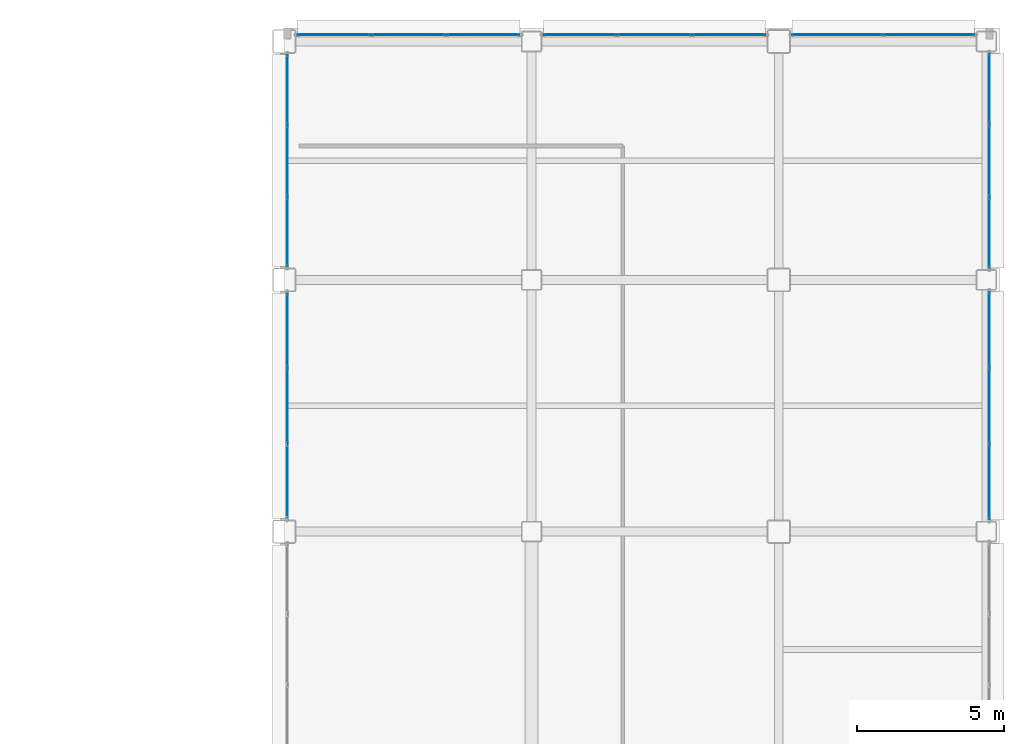
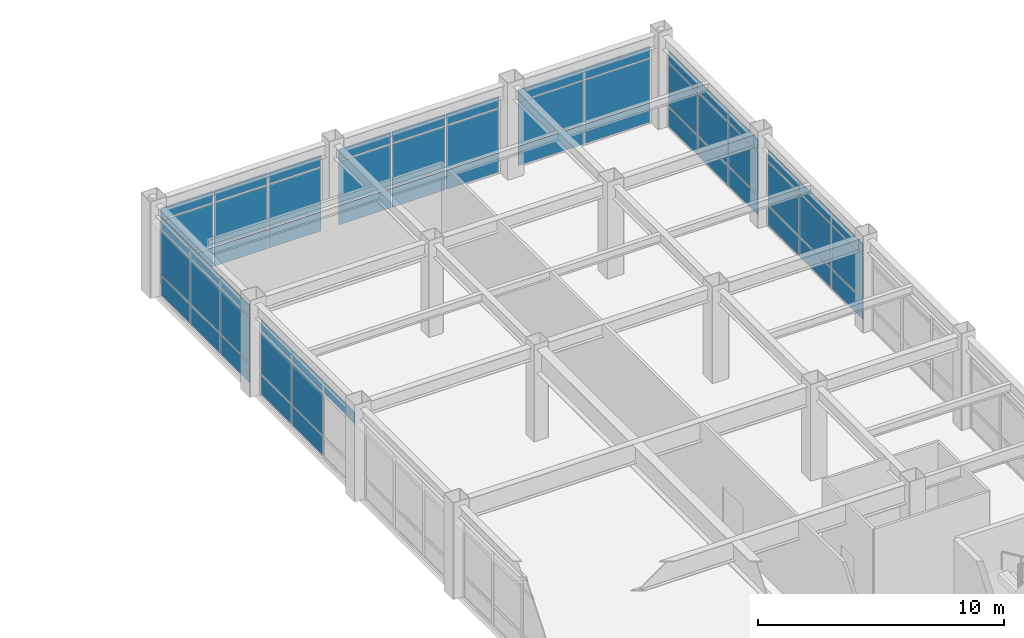
# One storey, part 128 of 154: 58 plates, 7 elements without a shape of their own.
"""IFC4 building model written with IfcOpenShell, lengths in metres."""

import ifcopenshell
import ifcopenshell.guid

model = None  # the IFC model being written
_history = None  # IfcOwnerHistory: only IFC2X3 demands one
_inside = {}  # id of a spatial element -> (the spatial element, [elements in it])
_under = {}  # id of a project, library or spatial element -> (it, [spatial elements below it])
_declared = {}  # id of a project -> (the project, [libraries it declares])
_typed = {}  # id of a type object -> (the type object, [elements of that type])
_made_of = {}  # id of a material, layer set ... -> (it, [elements and type objects made of it])


def new_model(schema):
    """Start an empty IFC model of exactly this schema.

    Asked for "IFC4X3", IfcOpenShell would pick the latest addendum, in which some entities
    have other attributes; the version numbers below select the first issue.
    IFC2X3 requires an IfcOwnerHistory on every rooted entity: one is made here for all.
    """
    global model, _history
    if schema == "IFC4X3":
        model = ifcopenshell.file(schema_version=(4, 3, 0, 0))
    else:
        model = ifcopenshell.file(schema=schema)
    _inside.clear()
    _under.clear()
    _declared.clear()
    _typed.clear()
    _made_of.clear()
    _history = None
    if model.schema == "IFC2X3":
        org = make("IfcOrganization", Name="unknown")
        user = make(
            "IfcPersonAndOrganization",
            ThePerson=make("IfcPerson", FamilyName="unknown"),
            TheOrganization=org,
        )
        app = make(
            "IfcApplication",
            ApplicationDeveloper=org,
            Version="unknown",
            ApplicationFullName="unknown",
            ApplicationIdentifier="unknown",
        )
        _history = make(
            "IfcOwnerHistory",
            OwningUser=user,
            OwningApplication=app,
            ChangeAction="ADDED",
            CreationDate=0,
        )
    return model


def make(cls, **values):
    """One entity of the class cls with the attributes given. An attribute that is None is left unset."""
    return model.create_entity(
        cls, **{name: value for name, value in values.items() if value is not None}
    )


def rooted(cls, **values):
    """An entity with a GlobalId (a new one), such as an element, a storey or a relation."""
    return make(cls, GlobalId=ifcopenshell.guid.new(), OwnerHistory=_history, **values)


def si_unit(unit_type, name, prefix=None):
    """IfcSIUnit, for example si_unit("LENGTHUNIT", "METRE", prefix="MILLI")."""
    return make("IfcSIUnit", UnitType=unit_type, Prefix=prefix, Name=name)


def assignment(units):
    """IfcUnitAssignment: the units of a project."""
    return None if units is None else make("IfcUnitAssignment", Units=units)


def point(xyz):
    """IfcCartesianPoint."""
    return None if xyz is None else make("IfcCartesianPoint", Coordinates=xyz)


def direction(xyz):
    """IfcDirection."""
    return None if xyz is None else make("IfcDirection", DirectionRatios=xyz)


def frame(location, z_axis=None, x_axis=None):
    """IfcAxis2Placement3D, a coordinate frame: its origin and axes. An axis left out is left unset."""
    return make(
        "IfcAxis2Placement3D",
        Location=point(location),
        Axis=direction(z_axis),
        RefDirection=direction(x_axis),
    )


def frame_2d(location, x_axis=None):
    """IfcAxis2Placement2D, a coordinate frame in the plane: its origin and x axis."""
    return make(
        "IfcAxis2Placement2D", Location=point(location), RefDirection=direction(x_axis)
    )


def origin():
    """The frame at (0, 0, 0) with its axes left unset."""
    return frame((0.0, 0.0, 0.0))


def origin_2d():
    """The frame at (0, 0) in the plane with its x axis left unset."""
    return frame_2d((0.0, 0.0))


def place(relative_to, where):
    """IfcLocalPlacement: puts the frame where relative to a parent placement (None: the world)."""
    return make(
        "IfcLocalPlacement", PlacementRelTo=relative_to, RelativePlacement=where
    )


def context(
    kind, dimensions, precision=None, world=None, true_north=None, identifier=None
):
    """IfcGeometricRepresentationContext, for example the 3D "Model" context."""
    return make(
        "IfcGeometricRepresentationContext",
        ContextIdentifier=identifier,
        ContextType=kind,
        CoordinateSpaceDimension=dimensions,
        Precision=precision,
        WorldCoordinateSystem=world,
        TrueNorth=true_north,
    )


def subcontext(parent, identifier, kind, view, scale=None):
    """IfcGeometricRepresentationSubContext, for example "Body" below "Model"."""
    return make(
        "IfcGeometricRepresentationSubContext",
        ContextIdentifier=identifier,
        ContextType=kind,
        ParentContext=parent,
        TargetScale=scale,
        TargetView=view,
    )


def project(units=None, contexts=None):
    """IfcProject with its units and contexts."""
    return rooted(
        "IfcProject",
        Name="project",
        RepresentationContexts=contexts,
        UnitsInContext=assignment(units),
    )


def spatial(cls, under=None, at=None, **own):
    """A site, building, storey or space (cls), placed at a placement, below another one or the project."""
    s = rooted(cls, ObjectPlacement=at, **own)
    if under is not None:
        _under.setdefault(under.id(), (under, []))[1].append(s)
    return s


def profile(cls, at=None, kind="AREA", **sizes):
    """A parametric profile (cls). Its sizes go by their IFC names, for example OverallWidth=200.0."""
    return make(cls, ProfileType=kind, Position=at, **sizes)


def rectangle(**sizes):
    """IfcRectangleProfileDef."""
    return profile("IfcRectangleProfileDef", **sizes)


def extrude(swept, where, along, depth):
    """IfcExtrudedAreaSolid: the profile swept, set in the frame where, extruded along a direction by depth."""
    return make(
        "IfcExtrudedAreaSolid",
        SweptArea=swept,
        Position=where,
        ExtrudedDirection=direction(along),
        Depth=depth,
    )


def shape(context_of_items, identifier, shape_type, items):
    """IfcShapeRepresentation: the items that make up one representation, for example the "Body"."""
    return make(
        "IfcShapeRepresentation",
        ContextOfItems=context_of_items,
        RepresentationIdentifier=identifier,
        RepresentationType=shape_type,
        Items=items,
    )


def material(Name=None, Category=None):
    """IfcMaterial."""
    return make("IfcMaterial", Name=Name, Category=Category)


def layer(
    of_material, thickness, ventilated=None, Name=None, Category=None, Priority=None
):
    """IfcMaterialLayer: one layer of a wall or slab, of a material (None: an air gap)."""
    return make(
        "IfcMaterialLayer",
        Material=of_material,
        LayerThickness=thickness,
        IsVentilated=ventilated,
        Name=Name,
        Category=Category,
        Priority=Priority,
    )


def layer_set(layers, Name=None):
    """IfcMaterialLayerSet."""
    return make("IfcMaterialLayerSet", MaterialLayers=layers, LayerSetName=Name)


def made_of(thing, what):
    """Note that an element or type object is made of a material, layer set ...; save() writes the relation."""
    if what is not None:
        _made_of.setdefault(what.id(), (what, []))[1].append(thing)
    return thing


def type_object(cls, material=None, **own):
    """A type object (cls), such as IfcWallType, which elements share."""
    return made_of(rooted(cls, **own), material)


def element(
    cls,
    number,
    at=None,
    inside=None,
    cuts=None,
    type_object=None,
    material=None,
    context=None,
    identifier="Body",
    shape_type=None,
    held_by="IfcProductDefinitionShape",
    body=None,
    shapes=None,
    **own,
):
    """One element of the class cls, such as IfcWall. Its Tag is "e" and its number.

    at: its placement. inside: the storey or other place that contains it. cuts: it is an
    opening in that element (IfcRelVoidsElement). A single representation is given by context,
    identifier, shape_type and body (its items); several are given by shapes. held_by: the class
    of the entity that holds the representations. save() writes the other relations.
    """
    e = rooted(cls, Tag="e%d" % number, ObjectPlacement=at, **own)
    if body is not None:
        shapes = [shape(context, identifier, shape_type, body)]
    if shapes is not None:
        e.Representation = make(held_by, Representations=shapes)
    if inside is not None:
        _inside.setdefault(inside.id(), (inside, []))[1].append(e)
    if cuts is not None:
        rooted(
            "IfcRelVoidsElement", RelatingBuildingElement=cuts, RelatedOpeningElement=e
        )
    if type_object is not None:
        _typed.setdefault(type_object.id(), (type_object, []))[1].append(e)
    return made_of(e, material)


def aggregate(whole, parts):
    """IfcRelAggregates: a whole, such as a stair, and the parts it consists of."""
    return rooted("IfcRelAggregates", RelatingObject=whole, RelatedObjects=parts)


def save(model, path):
    """Write the relations noted so far, then the file.

    IfcRelAggregates (storeys below a building ...), IfcRelContainedInSpatialStructure (elements
    in a storey), IfcRelDefinesByType, IfcRelAssociatesMaterial and IfcRelDeclares: one each for
    every whole, place, type object, material and project.
    """
    for whole, parts in _under.values():
        aggregate(whole, parts)
    for where, things in _inside.values():
        rooted(
            "IfcRelContainedInSpatialStructure",
            RelatedElements=things,
            RelatingStructure=where,
        )
    for kind, things in _typed.values():
        rooted("IfcRelDefinesByType", RelatedObjects=things, RelatingType=kind)
    for what, things in _made_of.values():
        rooted("IfcRelAssociatesMaterial", RelatedObjects=things, RelatingMaterial=what)
    for by, libraries in _declared.values():
        rooted("IfcRelDeclares", RelatingContext=by, RelatedDefinitions=libraries)
    model.write(path)


model = new_model("IFC4")

# Units and contexts
model_context = context("Model", 3, precision=1e-05, world=origin(), true_north=direction((0.0, 1.0)))
body_context = subcontext(model_context, "Body", "Model", "MODEL_VIEW")
ifc_project = project(units=[si_unit("LENGTHUNIT", "METRE"), si_unit("AREAUNIT", "SQUARE_METRE"), si_unit("VOLUMEUNIT", "CUBIC_METRE"), si_unit("PLANEANGLEUNIT", "RADIAN"), si_unit("MASSUNIT", "GRAM", prefix="KILO")], contexts=[model_context])

# Site, building, storey
site_placement = place(None, origin())
site = spatial("IfcSite", under=ifc_project, at=site_placement, CompositionType="ELEMENT")
building_placement = place(site_placement, origin())
building = spatial("IfcBuilding", under=site, at=building_placement, Name="Kazehara Bluff Congress Hotel", CompositionType="ELEMENT")
storey_placement = place(building_placement, frame((0.0, 0.0, 10.199951171875)))
storey = spatial("IfcBuildingStorey", under=building, at=storey_placement, Name="L02", CompositionType="ELEMENT", Elevation=10.199951171875)

# Curtain wall, plates
ifc_material_1 = material(Name="Anodised aluminium", Category="aluminium")
ifc_layer_1 = layer(ifc_material_1, 0.159912109375)
ifc_layer_set_1 = layer_set([ifc_layer_1], Name="Anodised aluminium")
curtain_wall_type_1 = type_object("IfcCurtainWallType", Name="TP-CW-117", PredefinedType="NOTDEFINED", material=ifc_layer_set_1)
curtain_wall_1_placement = place(storey_placement, origin())
curtain_wall_1 = element("IfcCurtainWall", 1, at=curtain_wall_1_placement, inside=storey, type_object=curtain_wall_type_1, Name="L02 curtain wall CW-117 CW-ENC-V5-L02-16765-10118", PredefinedType="NOTDEFINED")
ifc_material_2 = material(Name="Insulated low-E double glazing", Category="glass")
ifc_layer_2 = layer(ifc_material_2, 0.028076171875)
ifc_layer_set_2 = layer_set([ifc_layer_2], Name="Insulated low-E double glazing")
plate_type = type_object("IfcPlateType", Name="TP-CWP-01", PredefinedType="CURTAIN_PANEL", material=ifc_layer_set_2)
plate_1_placement = place(storey_placement, frame((167.64990234375, 103.775390625, 0.06494140625), z_axis=(0.0, 0.0, 1.0), x_axis=(0.0, -1.0, 0.0)))
plate_1 = element("IfcPlate", 2, at=plate_1_placement, type_object=plate_type, Name="CW-117 panel 1.1", PredefinedType="CURTAIN_PANEL", context=body_context, shape_type="SweptSolid", body=[
    extrude(rectangle(XDim=2.519287109375, YDim=0.028076171875, at=origin_2d()), origin(), (0.0, 0.0, 1.0), 0.952392578125),
])
plate_2_placement = place(storey_placement, frame((167.64990234375, 103.775390625, 1.08251953125), z_axis=(0.0, 0.0, 1.0), x_axis=(0.0, -1.0, 0.0)))
plate_2 = element("IfcPlate", 3, at=plate_2_placement, type_object=plate_type, Name="CW-117 panel 1.2", PredefinedType="CURTAIN_PANEL", context=body_context, shape_type="SweptSolid", body=[
    extrude(rectangle(XDim=2.519287109375, YDim=0.028076171875, at=origin_2d()), origin(), (0.0, 0.0, 1.0), 2.1201171875),
])
plate_3_placement = place(storey_placement, frame((167.64990234375, 103.775390625, 3.267578125), z_axis=(0.0, 0.0, 1.0), x_axis=(0.0, -1.0, 0.0)))
plate_3 = element("IfcPlate", 4, at=plate_3_placement, type_object=plate_type, Name="CW-117 panel 1.3", PredefinedType="CURTAIN_PANEL", context=body_context, shape_type="SweptSolid", body=[
    extrude(rectangle(XDim=2.519287109375, YDim=0.028076171875, at=origin_2d()), origin(), (0.0, 0.0, 1.0), 0.552490234375),
])
plate_4_placement = place(storey_placement, frame((167.64990234375, 101.175048828125, 0.06494140625), z_axis=(0.0, 0.0, 1.0), x_axis=(0.0, -1.0, 0.0)))
plate_4 = element("IfcPlate", 5, at=plate_4_placement, type_object=plate_type, Name="CW-117 panel 2.1", PredefinedType="CURTAIN_PANEL", context=body_context, shape_type="SweptSolid", body=[
    extrude(rectangle(XDim=2.5517578125, YDim=0.028076171875, at=origin_2d()), origin(), (0.0, 0.0, 1.0), 0.952392578125),
])
plate_5_placement = place(storey_placement, frame((167.64990234375, 101.175048828125, 1.08251953125), z_axis=(0.0, 0.0, 1.0), x_axis=(0.0, -1.0, 0.0)))
plate_5 = element("IfcPlate", 6, at=plate_5_placement, type_object=plate_type, Name="CW-117 panel 2.2", PredefinedType="CURTAIN_PANEL", context=body_context, shape_type="SweptSolid", body=[
    extrude(rectangle(XDim=2.5517578125, YDim=0.028076171875, at=origin_2d()), origin(), (0.0, 0.0, 1.0), 2.1201171875),
])
plate_6_placement = place(storey_placement, frame((167.64990234375, 101.175048828125, 3.267578125), z_axis=(0.0, 0.0, 1.0), x_axis=(0.0, -1.0, 0.0)))
plate_6 = element("IfcPlate", 7, at=plate_6_placement, type_object=plate_type, Name="CW-117 panel 2.3", PredefinedType="CURTAIN_PANEL", context=body_context, shape_type="SweptSolid", body=[
    extrude(rectangle(XDim=2.5517578125, YDim=0.028076171875, at=origin_2d()), origin(), (0.0, 0.0, 1.0), 0.552490234375),
])
plate_7_placement = place(storey_placement, frame((167.64990234375, 98.574462890625, 0.06494140625), z_axis=(0.0, 0.0, 1.0), x_axis=(0.0, -1.0, 0.0)))
plate_7 = element("IfcPlate", 8, at=plate_7_placement, type_object=plate_type, Name="CW-117 panel 3.1", PredefinedType="CURTAIN_PANEL", context=body_context, shape_type="SweptSolid", body=[
    extrude(rectangle(XDim=2.519287109375, YDim=0.028076171875, at=origin_2d()), origin(), (0.0, 0.0, 1.0), 0.952392578125),
])
plate_8_placement = place(storey_placement, frame((167.64990234375, 98.574462890625, 1.08251953125), z_axis=(0.0, 0.0, 1.0), x_axis=(0.0, -1.0, 0.0)))
plate_8 = element("IfcPlate", 9, at=plate_8_placement, type_object=plate_type, Name="CW-117 panel 3.2", PredefinedType="CURTAIN_PANEL", context=body_context, shape_type="SweptSolid", body=[
    extrude(rectangle(XDim=2.519287109375, YDim=0.028076171875, at=origin_2d()), origin(), (0.0, 0.0, 1.0), 2.1201171875),
])
plate_9_placement = place(storey_placement, frame((167.64990234375, 98.574462890625, 3.267578125), z_axis=(0.0, 0.0, 1.0), x_axis=(0.0, -1.0, 0.0)))
plate_9 = element("IfcPlate", 10, at=plate_9_placement, type_object=plate_type, Name="CW-117 panel 3.3", PredefinedType="CURTAIN_PANEL", context=body_context, shape_type="SweptSolid", body=[
    extrude(rectangle(XDim=2.519287109375, YDim=0.028076171875, at=origin_2d()), origin(), (0.0, 0.0, 1.0), 0.552490234375),
])
aggregate(curtain_wall_1, [plate_1, plate_2, plate_3, plate_4, plate_5, plate_6, plate_7, plate_8, plate_9])

ifc_material_3 = material(Name="Anodised aluminium", Category="aluminium")
ifc_layer_3 = layer(ifc_material_3, 0.159912109375)
ifc_layer_set_3 = layer_set([ifc_layer_3], Name="Anodised aluminium")
curtain_wall_type_2 = type_object("IfcCurtainWallType", Name="TP-CW-34", PredefinedType="NOTDEFINED", material=ifc_layer_set_3)
curtain_wall_2_placement = place(storey_placement, origin())
curtain_wall_2 = element("IfcCurtainWall", 11, at=curtain_wall_2_placement, inside=storey, type_object=curtain_wall_type_2, Name="L02 curtain wall CW-34 CW-ENC-V5-L02-16765-10950", PredefinedType="NOTDEFINED")
plate_10_placement = place(storey_placement, frame((167.64990234375, 111.950439453125, 0.06494140625), z_axis=(0.0, 0.0, 1.0), x_axis=(0.0, -1.0, 0.0)))
plate_10 = element("IfcPlate", 12, at=plate_10_placement, type_object=plate_type, Name="CW-34 panel 1.1", PredefinedType="CURTAIN_PANEL", context=body_context, shape_type="SweptSolid", body=[
    extrude(rectangle(XDim=2.369140625, YDim=0.028076171875, at=origin_2d()), origin(), (0.0, 0.0, 1.0), 0.952392578125),
])
plate_11_placement = place(storey_placement, frame((167.64990234375, 111.950439453125, 1.08251953125), z_axis=(0.0, 0.0, 1.0), x_axis=(0.0, -1.0, 0.0)))
plate_11 = element("IfcPlate", 13, at=plate_11_placement, type_object=plate_type, Name="CW-34 panel 1.2", PredefinedType="CURTAIN_PANEL", context=body_context, shape_type="SweptSolid", body=[
    extrude(rectangle(XDim=2.369140625, YDim=0.028076171875, at=origin_2d()), origin(), (0.0, 0.0, 1.0), 2.1201171875),
])
plate_12_placement = place(storey_placement, frame((167.64990234375, 111.950439453125, 3.267578125), z_axis=(0.0, 0.0, 1.0), x_axis=(0.0, -1.0, 0.0)))
plate_12 = element("IfcPlate", 14, at=plate_12_placement, type_object=plate_type, Name="CW-34 panel 1.3", PredefinedType="CURTAIN_PANEL", context=body_context, shape_type="SweptSolid", body=[
    extrude(rectangle(XDim=2.369140625, YDim=0.028076171875, at=origin_2d()), origin(), (0.0, 0.0, 1.0), 0.552490234375),
])
plate_13_placement = place(storey_placement, frame((167.64990234375, 109.5, 0.06494140625), z_axis=(0.0, 0.0, 1.0), x_axis=(0.0, -1.0, 0.0)))
plate_13 = element("IfcPlate", 15, at=plate_13_placement, type_object=plate_type, Name="CW-34 panel 2.1", PredefinedType="CURTAIN_PANEL", context=body_context, shape_type="SweptSolid", body=[
    extrude(rectangle(XDim=2.401611328125, YDim=0.028076171875, at=origin_2d()), origin(), (0.0, 0.0, 1.0), 0.952392578125),
])
plate_14_placement = place(storey_placement, frame((167.64990234375, 109.5, 1.08251953125), z_axis=(0.0, 0.0, 1.0), x_axis=(0.0, -1.0, 0.0)))
plate_14 = element("IfcPlate", 16, at=plate_14_placement, type_object=plate_type, Name="CW-34 panel 2.2", PredefinedType="CURTAIN_PANEL", context=body_context, shape_type="SweptSolid", body=[
    extrude(rectangle(XDim=2.401611328125, YDim=0.028076171875, at=origin_2d()), origin(), (0.0, 0.0, 1.0), 2.1201171875),
])
plate_15_placement = place(storey_placement, frame((167.64990234375, 109.5, 3.267578125), z_axis=(0.0, 0.0, 1.0), x_axis=(0.0, -1.0, 0.0)))
plate_15 = element("IfcPlate", 17, at=plate_15_placement, type_object=plate_type, Name="CW-34 panel 2.3", PredefinedType="CURTAIN_PANEL", context=body_context, shape_type="SweptSolid", body=[
    extrude(rectangle(XDim=2.401611328125, YDim=0.028076171875, at=origin_2d()), origin(), (0.0, 0.0, 1.0), 0.552490234375),
])
plate_16_placement = place(storey_placement, frame((167.64990234375, 107.049560546875, 0.06494140625), z_axis=(0.0, 0.0, 1.0), x_axis=(0.0, -1.0, 0.0)))
plate_16 = element("IfcPlate", 18, at=plate_16_placement, type_object=plate_type, Name="CW-34 panel 3.1", PredefinedType="CURTAIN_PANEL", context=body_context, shape_type="SweptSolid", body=[
    extrude(rectangle(XDim=2.369140625, YDim=0.028076171875, at=origin_2d()), origin(), (0.0, 0.0, 1.0), 0.952392578125),
])
plate_17_placement = place(storey_placement, frame((167.64990234375, 107.049560546875, 1.08251953125), z_axis=(0.0, 0.0, 1.0), x_axis=(0.0, -1.0, 0.0)))
plate_17 = element("IfcPlate", 19, at=plate_17_placement, type_object=plate_type, Name="CW-34 panel 3.2", PredefinedType="CURTAIN_PANEL", context=body_context, shape_type="SweptSolid", body=[
    extrude(rectangle(XDim=2.369140625, YDim=0.028076171875, at=origin_2d()), origin(), (0.0, 0.0, 1.0), 2.1201171875),
])
plate_18_placement = place(storey_placement, frame((167.64990234375, 107.049560546875, 3.267578125), z_axis=(0.0, 0.0, 1.0), x_axis=(0.0, -1.0, 0.0)))
plate_18 = element("IfcPlate", 20, at=plate_18_placement, type_object=plate_type, Name="CW-34 panel 3.3", PredefinedType="CURTAIN_PANEL", context=body_context, shape_type="SweptSolid", body=[
    extrude(rectangle(XDim=2.369140625, YDim=0.028076171875, at=origin_2d()), origin(), (0.0, 0.0, 1.0), 0.552490234375),
])
aggregate(curtain_wall_2, [plate_10, plate_11, plate_12, plate_13, plate_14, plate_15, plate_16, plate_17, plate_18])

ifc_material_4 = material(Name="Anodised aluminium", Category="aluminium")
ifc_layer_4 = layer(ifc_material_4, 0.159912109375)
ifc_layer_set_4 = layer_set([ifc_layer_4], Name="Anodised aluminium")
curtain_wall_type_3 = type_object("IfcCurtainWallType", Name="TP-CW-22", PredefinedType="NOTDEFINED", material=ifc_layer_set_4)
curtain_wall_3_placement = place(storey_placement, origin())
curtain_wall_3 = element("IfcCurtainWall", 21, at=curtain_wall_3_placement, inside=storey, type_object=curtain_wall_type_3, Name="L02 curtain wall CW-22 CW-ENC-V5-L02-14793-11378", PredefinedType="NOTDEFINED")
plate_19_placement = place(storey_placement, frame((145.391357421875, 113.780029296875, 0.06494140625), z_axis=(0.0, 0.0, 1.0), x_axis=(1.0, 0.0, 0.0)))
plate_19 = element("IfcPlate", 22, at=plate_19_placement, type_object=plate_type, Name="CW-22 panel 1.1", PredefinedType="CURTAIN_PANEL", context=body_context, shape_type="SweptSolid", body=[
    extrude(rectangle(XDim=2.452392578125, YDim=0.028076171875, at=origin_2d()), origin(), (0.0, 0.0, 1.0), 0.952392578125),
])
plate_20_placement = place(storey_placement, frame((145.391357421875, 113.780029296875, 1.08251953125), z_axis=(0.0, 0.0, 1.0), x_axis=(1.0, 0.0, 0.0)))
plate_20 = element("IfcPlate", 23, at=plate_20_placement, type_object=plate_type, Name="CW-22 panel 1.2", PredefinedType="CURTAIN_PANEL", context=body_context, shape_type="SweptSolid", body=[
    extrude(rectangle(XDim=2.452392578125, YDim=0.028076171875, at=origin_2d()), origin(), (0.0, 0.0, 1.0), 2.1201171875),
])
plate_21_placement = place(storey_placement, frame((145.391357421875, 113.780029296875, 3.267578125), z_axis=(0.0, 0.0, 1.0), x_axis=(1.0, 0.0, 0.0)))
plate_21 = element("IfcPlate", 24, at=plate_21_placement, type_object=plate_type, Name="CW-22 panel 1.3", PredefinedType="CURTAIN_PANEL", context=body_context, shape_type="SweptSolid", body=[
    extrude(rectangle(XDim=2.452392578125, YDim=0.028076171875, at=origin_2d()), origin(), (0.0, 0.0, 1.0), 0.552490234375),
])
plate_22_placement = place(storey_placement, frame((147.925048828125, 113.780029296875, 0.06494140625), z_axis=(0.0, 0.0, 1.0), x_axis=(1.0, 0.0, 0.0)))
plate_22 = element("IfcPlate", 25, at=plate_22_placement, type_object=plate_type, Name="CW-22 panel 2.1", PredefinedType="CURTAIN_PANEL", context=body_context, shape_type="SweptSolid", body=[
    extrude(rectangle(XDim=2.485107421875, YDim=0.028076171875, at=origin_2d()), origin(), (0.0, 0.0, 1.0), 0.952392578125),
])
plate_23_placement = place(storey_placement, frame((147.925048828125, 113.780029296875, 1.08251953125), z_axis=(0.0, 0.0, 1.0), x_axis=(1.0, 0.0, 0.0)))
plate_23 = element("IfcPlate", 26, at=plate_23_placement, type_object=plate_type, Name="CW-22 panel 2.2", PredefinedType="CURTAIN_PANEL", context=body_context, shape_type="SweptSolid", body=[
    extrude(rectangle(XDim=2.485107421875, YDim=0.028076171875, at=origin_2d()), origin(), (0.0, 0.0, 1.0), 2.1201171875),
])
plate_24_placement = place(storey_placement, frame((147.925048828125, 113.780029296875, 3.267578125), z_axis=(0.0, 0.0, 1.0), x_axis=(1.0, 0.0, 0.0)))
plate_24 = element("IfcPlate", 27, at=plate_24_placement, type_object=plate_type, Name="CW-22 panel 2.3", PredefinedType="CURTAIN_PANEL", context=body_context, shape_type="SweptSolid", body=[
    extrude(rectangle(XDim=2.485107421875, YDim=0.028076171875, at=origin_2d()), origin(), (0.0, 0.0, 1.0), 0.552490234375),
])
plate_25_placement = place(storey_placement, frame((150.458740234375, 113.780029296875, 0.06494140625), z_axis=(0.0, 0.0, 1.0), x_axis=(1.0, 0.0, 0.0)))
plate_25 = element("IfcPlate", 28, at=plate_25_placement, type_object=plate_type, Name="CW-22 panel 3.1", PredefinedType="CURTAIN_PANEL", context=body_context, shape_type="SweptSolid", body=[
    extrude(rectangle(XDim=2.452392578125, YDim=0.028076171875, at=origin_2d()), origin(), (0.0, 0.0, 1.0), 0.952392578125),
])
plate_26_placement = place(storey_placement, frame((150.458740234375, 113.780029296875, 1.08251953125), z_axis=(0.0, 0.0, 1.0), x_axis=(1.0, 0.0, 0.0)))
plate_26 = element("IfcPlate", 29, at=plate_26_placement, type_object=plate_type, Name="CW-22 panel 3.2", PredefinedType="CURTAIN_PANEL", context=body_context, shape_type="SweptSolid", body=[
    extrude(rectangle(XDim=2.452392578125, YDim=0.028076171875, at=origin_2d()), origin(), (0.0, 0.0, 1.0), 2.1201171875),
])
plate_27_placement = place(storey_placement, frame((150.458740234375, 113.780029296875, 3.267578125), z_axis=(0.0, 0.0, 1.0), x_axis=(1.0, 0.0, 0.0)))
plate_27 = element("IfcPlate", 30, at=plate_27_placement, type_object=plate_type, Name="CW-22 panel 3.3", PredefinedType="CURTAIN_PANEL", context=body_context, shape_type="SweptSolid", body=[
    extrude(rectangle(XDim=2.452392578125, YDim=0.028076171875, at=origin_2d()), origin(), (0.0, 0.0, 1.0), 0.552490234375),
])
aggregate(curtain_wall_3, [plate_19, plate_20, plate_21, plate_22, plate_23, plate_24, plate_25, plate_26, plate_27])

curtain_wall_4_placement = place(storey_placement, origin())
curtain_wall_4 = element("IfcCurtainWall", 31, at=curtain_wall_4_placement, inside=storey, type_object=curtain_wall_type_3, Name="L02 curtain wall CW-22 CW-ENC-V5-L02-15627-11378", PredefinedType="NOTDEFINED")
plate_28_placement = place(storey_placement, frame((153.7412109375, 113.780029296875, 0.06494140625), z_axis=(0.0, 0.0, 1.0), x_axis=(1.0, 0.0, 0.0)))
plate_28 = element("IfcPlate", 32, at=plate_28_placement, type_object=plate_type, Name="CW-22 panel 1.1", PredefinedType="CURTAIN_PANEL", context=body_context, shape_type="SweptSolid", body=[
    extrude(rectangle(XDim=2.452392578125, YDim=0.028076171875, at=origin_2d()), origin(), (0.0, 0.0, 1.0), 0.952392578125),
])
plate_29_placement = place(storey_placement, frame((153.7412109375, 113.780029296875, 1.08251953125), z_axis=(0.0, 0.0, 1.0), x_axis=(1.0, 0.0, 0.0)))
plate_29 = element("IfcPlate", 33, at=plate_29_placement, type_object=plate_type, Name="CW-22 panel 1.2", PredefinedType="CURTAIN_PANEL", context=body_context, shape_type="SweptSolid", body=[
    extrude(rectangle(XDim=2.452392578125, YDim=0.028076171875, at=origin_2d()), origin(), (0.0, 0.0, 1.0), 2.1201171875),
])
plate_30_placement = place(storey_placement, frame((153.7412109375, 113.780029296875, 3.267578125), z_axis=(0.0, 0.0, 1.0), x_axis=(1.0, 0.0, 0.0)))
plate_30 = element("IfcPlate", 34, at=plate_30_placement, type_object=plate_type, Name="CW-22 panel 1.3", PredefinedType="CURTAIN_PANEL", context=body_context, shape_type="SweptSolid", body=[
    extrude(rectangle(XDim=2.452392578125, YDim=0.028076171875, at=origin_2d()), origin(), (0.0, 0.0, 1.0), 0.552490234375),
])
plate_31_placement = place(storey_placement, frame((156.27490234375, 113.780029296875, 0.06494140625), z_axis=(0.0, 0.0, 1.0), x_axis=(1.0, 0.0, 0.0)))
plate_31 = element("IfcPlate", 35, at=plate_31_placement, type_object=plate_type, Name="CW-22 panel 2.1", PredefinedType="CURTAIN_PANEL", context=body_context, shape_type="SweptSolid", body=[
    extrude(rectangle(XDim=2.485107421875, YDim=0.028076171875, at=origin_2d()), origin(), (0.0, 0.0, 1.0), 0.952392578125),
])
plate_32_placement = place(storey_placement, frame((156.27490234375, 113.780029296875, 1.08251953125), z_axis=(0.0, 0.0, 1.0), x_axis=(1.0, 0.0, 0.0)))
plate_32 = element("IfcPlate", 36, at=plate_32_placement, type_object=plate_type, Name="CW-22 panel 2.2", PredefinedType="CURTAIN_PANEL", context=body_context, shape_type="SweptSolid", body=[
    extrude(rectangle(XDim=2.485107421875, YDim=0.028076171875, at=origin_2d()), origin(), (0.0, 0.0, 1.0), 2.1201171875),
])
plate_33_placement = place(storey_placement, frame((156.27490234375, 113.780029296875, 3.267578125), z_axis=(0.0, 0.0, 1.0), x_axis=(1.0, 0.0, 0.0)))
plate_33 = element("IfcPlate", 37, at=plate_33_placement, type_object=plate_type, Name="CW-22 panel 2.3", PredefinedType="CURTAIN_PANEL", context=body_context, shape_type="SweptSolid", body=[
    extrude(rectangle(XDim=2.485107421875, YDim=0.028076171875, at=origin_2d()), origin(), (0.0, 0.0, 1.0), 0.552490234375),
])
plate_34_placement = place(storey_placement, frame((158.808837890625, 113.780029296875, 0.06494140625), z_axis=(0.0, 0.0, 1.0), x_axis=(1.0, 0.0, 0.0)))
plate_34 = element("IfcPlate", 38, at=plate_34_placement, type_object=plate_type, Name="CW-22 panel 3.1", PredefinedType="CURTAIN_PANEL", context=body_context, shape_type="SweptSolid", body=[
    extrude(rectangle(XDim=2.452392578125, YDim=0.028076171875, at=origin_2d()), origin(), (0.0, 0.0, 1.0), 0.952392578125),
])
plate_35_placement = place(storey_placement, frame((158.808837890625, 113.780029296875, 1.08251953125), z_axis=(0.0, 0.0, 1.0), x_axis=(1.0, 0.0, 0.0)))
plate_35 = element("IfcPlate", 39, at=plate_35_placement, type_object=plate_type, Name="CW-22 panel 3.2", PredefinedType="CURTAIN_PANEL", context=body_context, shape_type="SweptSolid", body=[
    extrude(rectangle(XDim=2.452392578125, YDim=0.028076171875, at=origin_2d()), origin(), (0.0, 0.0, 1.0), 2.1201171875),
])
plate_36_placement = place(storey_placement, frame((158.808837890625, 113.780029296875, 3.267578125), z_axis=(0.0, 0.0, 1.0), x_axis=(1.0, 0.0, 0.0)))
plate_36 = element("IfcPlate", 40, at=plate_36_placement, type_object=plate_type, Name="CW-22 panel 3.3", PredefinedType="CURTAIN_PANEL", context=body_context, shape_type="SweptSolid", body=[
    extrude(rectangle(XDim=2.452392578125, YDim=0.028076171875, at=origin_2d()), origin(), (0.0, 0.0, 1.0), 0.552490234375),
])
aggregate(curtain_wall_4, [plate_28, plate_29, plate_30, plate_31, plate_32, plate_33, plate_34, plate_35, plate_36])

ifc_material_5 = material(Name="Anodised aluminium", Category="aluminium")
ifc_layer_5 = layer(ifc_material_5, 0.159912109375)
ifc_layer_set_5 = layer_set([ifc_layer_5], Name="Anodised aluminium")
curtain_wall_type_4 = type_object("IfcCurtainWallType", Name="TP-CW-112", PredefinedType="NOTDEFINED", material=ifc_layer_set_5)
curtain_wall_5_placement = place(storey_placement, origin())
curtain_wall_5 = element("IfcCurtainWall", 41, at=curtain_wall_5_placement, inside=storey, type_object=curtain_wall_type_4, Name="L02 curtain wall CW-112 CW-ENC-V5-L02-16405-11378", PredefinedType="NOTDEFINED")
plate_37_placement = place(storey_placement, frame((162.489990234375, 113.780029296875, 0.06005859375), z_axis=(0.0, 0.0, 1.0), x_axis=(1.0, 0.0, 0.0)))
plate_37 = element("IfcPlate", 42, at=plate_37_placement, type_object=plate_type, Name="CW-112 panel 1.1", PredefinedType="CURTAIN_PANEL", context=body_context, shape_type="SweptSolid", body=[
    extrude(rectangle(XDim=3.06005859375, YDim=0.028076171875, at=origin_2d()), origin(), (0.0, 0.0, 1.0), 0.9599609375),
])
plate_38_placement = place(storey_placement, frame((162.489990234375, 113.780029296875, 1.080078125), z_axis=(0.0, 0.0, 1.0), x_axis=(1.0, 0.0, 0.0)))
plate_38 = element("IfcPlate", 43, at=plate_38_placement, type_object=plate_type, Name="CW-112 panel 1.2", PredefinedType="CURTAIN_PANEL", context=body_context, shape_type="SweptSolid", body=[
    extrude(rectangle(XDim=3.06005859375, YDim=0.028076171875, at=origin_2d()), origin(), (0.0, 0.0, 1.0), 2.125),
])
plate_39_placement = place(storey_placement, frame((162.489990234375, 113.780029296875, 3.26513671875), z_axis=(0.0, 0.0, 1.0), x_axis=(1.0, 0.0, 0.0)))
plate_39 = element("IfcPlate", 44, at=plate_39_placement, type_object=plate_type, Name="CW-112 panel 1.3", PredefinedType="CURTAIN_PANEL", context=body_context, shape_type="SweptSolid", body=[
    extrude(rectangle(XDim=3.06005859375, YDim=0.028076171875, at=origin_2d()), origin(), (0.0, 0.0, 1.0), 0.56005859375),
])
plate_40_placement = place(storey_placement, frame((165.610107421875, 113.780029296875, 0.06005859375), z_axis=(0.0, 0.0, 1.0), x_axis=(1.0, 0.0, 0.0)))
plate_40 = element("IfcPlate", 45, at=plate_40_placement, type_object=plate_type, Name="CW-112 panel 2.1", PredefinedType="CURTAIN_PANEL", context=body_context, shape_type="SweptSolid", body=[
    extrude(rectangle(XDim=3.06005859375, YDim=0.028076171875, at=origin_2d()), origin(), (0.0, 0.0, 1.0), 0.9599609375),
])
plate_41_placement = place(storey_placement, frame((165.610107421875, 113.780029296875, 1.080078125), z_axis=(0.0, 0.0, 1.0), x_axis=(1.0, 0.0, 0.0)))
plate_41 = element("IfcPlate", 46, at=plate_41_placement, type_object=plate_type, Name="CW-112 panel 2.2", PredefinedType="CURTAIN_PANEL", context=body_context, shape_type="SweptSolid", body=[
    extrude(rectangle(XDim=3.06005859375, YDim=0.028076171875, at=origin_2d()), origin(), (0.0, 0.0, 1.0), 2.125),
])
plate_42_placement = place(storey_placement, frame((165.610107421875, 113.780029296875, 3.26513671875), z_axis=(0.0, 0.0, 1.0), x_axis=(1.0, 0.0, 0.0)))
plate_42 = element("IfcPlate", 47, at=plate_42_placement, type_object=plate_type, Name="CW-112 panel 2.3", PredefinedType="CURTAIN_PANEL", context=body_context, shape_type="SweptSolid", body=[
    extrude(rectangle(XDim=3.06005859375, YDim=0.028076171875, at=origin_2d()), origin(), (0.0, 0.0, 1.0), 0.56005859375),
])
aggregate(curtain_wall_5, [plate_37, plate_38, plate_39, plate_40, plate_41, plate_42])

ifc_material_6 = material(Name="Anodised aluminium", Category="aluminium")
ifc_layer_6 = layer(ifc_material_6, 0.159912109375)
ifc_layer_set_6 = layer_set([ifc_layer_6], Name="Anodised aluminium")
curtain_wall_type_5 = type_object("IfcCurtainWallType", Name="TP-CW-123", PredefinedType="NOTDEFINED", material=ifc_layer_set_6)
curtain_wall_6_placement = place(storey_placement, origin())
curtain_wall_6 = element("IfcCurtainWall", 48, at=curtain_wall_6_placement, inside=storey, type_object=curtain_wall_type_5, Name="L02 curtain wall CW-123 CW-ENC-V5-L02-14380-10118", PredefinedType="NOTDEFINED")
plate_43_placement = place(storey_placement, frame((143.800048828125, 98.60791015625, 3.2177734375), z_axis=(0.0, 0.0, 1.0), x_axis=(0.0, 1.0, 0.0)))
plate_43 = element("IfcPlate", 49, at=plate_43_placement, type_object=plate_type, Name="CW-123 panel 1.3", PredefinedType="CURTAIN_PANEL", context=body_context, shape_type="SweptSolid", body=[
    extrude(rectangle(XDim=2.48583984375, YDim=0.028076171875, at=origin_2d()), origin(), (0.0, 0.0, 1.0), 0.552490234375),
])
plate_44_placement = place(storey_placement, frame((143.800048828125, 101.175048828125, 0.06494140625), z_axis=(0.0, 0.0, 1.0), x_axis=(0.0, 1.0, 0.0)))
plate_44 = element("IfcPlate", 50, at=plate_44_placement, type_object=plate_type, Name="CW-123 panel 2.1", PredefinedType="CURTAIN_PANEL", context=body_context, shape_type="SweptSolid", body=[
    extrude(rectangle(XDim=2.518310546875, YDim=0.028076171875, at=origin_2d()), origin(), (0.0, 0.0, 1.0), 0.952392578125),
])
plate_45_placement = place(storey_placement, frame((143.800048828125, 101.175048828125, 1.08251953125), z_axis=(0.0, 0.0, 1.0), x_axis=(0.0, 1.0, 0.0)))
plate_45 = element("IfcPlate", 51, at=plate_45_placement, type_object=plate_type, Name="CW-123 panel 2.2", PredefinedType="CURTAIN_PANEL", context=body_context, shape_type="SweptSolid", body=[
    extrude(rectangle(XDim=2.518310546875, YDim=0.028076171875, at=origin_2d()), origin(), (0.0, 0.0, 1.0), 2.070068359375),
])
plate_46_placement = place(storey_placement, frame((143.800048828125, 101.175048828125, 3.2177734375), z_axis=(0.0, 0.0, 1.0), x_axis=(0.0, 1.0, 0.0)))
plate_46 = element("IfcPlate", 52, at=plate_46_placement, type_object=plate_type, Name="CW-123 panel 2.3", PredefinedType="CURTAIN_PANEL", context=body_context, shape_type="SweptSolid", body=[
    extrude(rectangle(XDim=2.518310546875, YDim=0.028076171875, at=origin_2d()), origin(), (0.0, 0.0, 1.0), 0.552490234375),
])
plate_47_placement = place(storey_placement, frame((143.800048828125, 103.7421875, 0.06494140625), z_axis=(0.0, 0.0, 1.0), x_axis=(0.0, 1.0, 0.0)))
plate_47 = element("IfcPlate", 53, at=plate_47_placement, type_object=plate_type, Name="CW-123 panel 3.1", PredefinedType="CURTAIN_PANEL", context=body_context, shape_type="SweptSolid", body=[
    extrude(rectangle(XDim=2.48583984375, YDim=0.028076171875, at=origin_2d()), origin(), (0.0, 0.0, 1.0), 0.952392578125),
])
plate_48_placement = place(storey_placement, frame((143.800048828125, 103.7421875, 1.08251953125), z_axis=(0.0, 0.0, 1.0), x_axis=(0.0, 1.0, 0.0)))
plate_48 = element("IfcPlate", 54, at=plate_48_placement, type_object=plate_type, Name="CW-123 panel 3.2", PredefinedType="CURTAIN_PANEL", context=body_context, shape_type="SweptSolid", body=[
    extrude(rectangle(XDim=2.48583984375, YDim=0.028076171875, at=origin_2d()), origin(), (0.0, 0.0, 1.0), 2.070068359375),
])
plate_49_placement = place(storey_placement, frame((143.800048828125, 103.7421875, 3.2177734375), z_axis=(0.0, 0.0, 1.0), x_axis=(0.0, 1.0, 0.0)))
plate_49 = element("IfcPlate", 55, at=plate_49_placement, type_object=plate_type, Name="CW-123 panel 3.3", PredefinedType="CURTAIN_PANEL", context=body_context, shape_type="SweptSolid", body=[
    extrude(rectangle(XDim=2.48583984375, YDim=0.028076171875, at=origin_2d()), origin(), (0.0, 0.0, 1.0), 0.552490234375),
])
aggregate(curtain_wall_6, [plate_43, plate_44, plate_45, plate_46, plate_47, plate_48, plate_49])

ifc_material_7 = material(Name="Anodised aluminium", Category="aluminium")
ifc_layer_7 = layer(ifc_material_7, 0.159912109375)
ifc_layer_set_7 = layer_set([ifc_layer_7], Name="Anodised aluminium")
curtain_wall_type_6 = type_object("IfcCurtainWallType", Name="TP-CW-124", PredefinedType="NOTDEFINED", material=ifc_layer_set_7)
curtain_wall_7_placement = place(storey_placement, origin())
curtain_wall_7 = element("IfcCurtainWall", 56, at=curtain_wall_7_placement, inside=storey, type_object=curtain_wall_type_6, Name="L02 curtain wall CW-124 CW-ENC-V5-L02-14380-10950", PredefinedType="NOTDEFINED")
plate_50_placement = place(storey_placement, frame((143.800048828125, 107.0830078125, 0.06494140625), z_axis=(0.0, 0.0, 1.0), x_axis=(0.0, 1.0, 0.0)))
plate_50 = element("IfcPlate", 57, at=plate_50_placement, type_object=plate_type, Name="CW-124 panel 1.1", PredefinedType="CURTAIN_PANEL", context=body_context, shape_type="SweptSolid", body=[
    extrude(rectangle(XDim=2.3359375, YDim=0.028076171875, at=origin_2d()), origin(), (0.0, 0.0, 1.0), 0.952392578125),
])
plate_51_placement = place(storey_placement, frame((143.800048828125, 107.0830078125, 1.08251953125), z_axis=(0.0, 0.0, 1.0), x_axis=(0.0, 1.0, 0.0)))
plate_51 = element("IfcPlate", 58, at=plate_51_placement, type_object=plate_type, Name="CW-124 panel 1.2", PredefinedType="CURTAIN_PANEL", context=body_context, shape_type="SweptSolid", body=[
    extrude(rectangle(XDim=2.3359375, YDim=0.028076171875, at=origin_2d()), origin(), (0.0, 0.0, 1.0), 2.219970703125),
])
plate_52_placement = place(storey_placement, frame((143.800048828125, 107.0830078125, 3.36767578125), z_axis=(0.0, 0.0, 1.0), x_axis=(0.0, 1.0, 0.0)))
plate_52 = element("IfcPlate", 59, at=plate_52_placement, type_object=plate_type, Name="CW-124 panel 1.3", PredefinedType="CURTAIN_PANEL", context=body_context, shape_type="SweptSolid", body=[
    extrude(rectangle(XDim=2.3359375, YDim=0.028076171875, at=origin_2d()), origin(), (0.0, 0.0, 1.0), 0.552490234375),
])
plate_53_placement = place(storey_placement, frame((143.800048828125, 109.5, 0.06494140625), z_axis=(0.0, 0.0, 1.0), x_axis=(0.0, 1.0, 0.0)))
plate_53 = element("IfcPlate", 60, at=plate_53_placement, type_object=plate_type, Name="CW-124 panel 2.1", PredefinedType="CURTAIN_PANEL", context=body_context, shape_type="SweptSolid", body=[
    extrude(rectangle(XDim=2.368408203125, YDim=0.028076171875, at=origin_2d()), origin(), (0.0, 0.0, 1.0), 0.952392578125),
])
plate_54_placement = place(storey_placement, frame((143.800048828125, 109.5, 1.08251953125), z_axis=(0.0, 0.0, 1.0), x_axis=(0.0, 1.0, 0.0)))
plate_54 = element("IfcPlate", 61, at=plate_54_placement, type_object=plate_type, Name="CW-124 panel 2.2", PredefinedType="CURTAIN_PANEL", context=body_context, shape_type="SweptSolid", body=[
    extrude(rectangle(XDim=2.368408203125, YDim=0.028076171875, at=origin_2d()), origin(), (0.0, 0.0, 1.0), 2.219970703125),
])
plate_55_placement = place(storey_placement, frame((143.800048828125, 109.5, 3.36767578125), z_axis=(0.0, 0.0, 1.0), x_axis=(0.0, 1.0, 0.0)))
plate_55 = element("IfcPlate", 62, at=plate_55_placement, type_object=plate_type, Name="CW-124 panel 2.3", PredefinedType="CURTAIN_PANEL", context=body_context, shape_type="SweptSolid", body=[
    extrude(rectangle(XDim=2.368408203125, YDim=0.028076171875, at=origin_2d()), origin(), (0.0, 0.0, 1.0), 0.552490234375),
])
plate_56_placement = place(storey_placement, frame((143.800048828125, 111.9169921875, 0.06494140625), z_axis=(0.0, 0.0, 1.0), x_axis=(0.0, 1.0, 0.0)))
plate_56 = element("IfcPlate", 63, at=plate_56_placement, type_object=plate_type, Name="CW-124 panel 3.1", PredefinedType="CURTAIN_PANEL", context=body_context, shape_type="SweptSolid", body=[
    extrude(rectangle(XDim=2.3359375, YDim=0.028076171875, at=origin_2d()), origin(), (0.0, 0.0, 1.0), 0.952392578125),
])
plate_57_placement = place(storey_placement, frame((143.800048828125, 111.9169921875, 1.08251953125), z_axis=(0.0, 0.0, 1.0), x_axis=(0.0, 1.0, 0.0)))
plate_57 = element("IfcPlate", 64, at=plate_57_placement, type_object=plate_type, Name="CW-124 panel 3.2", PredefinedType="CURTAIN_PANEL", context=body_context, shape_type="SweptSolid", body=[
    extrude(rectangle(XDim=2.3359375, YDim=0.028076171875, at=origin_2d()), origin(), (0.0, 0.0, 1.0), 2.219970703125),
])
plate_58_placement = place(storey_placement, frame((143.800048828125, 111.9169921875, 3.36767578125), z_axis=(0.0, 0.0, 1.0), x_axis=(0.0, 1.0, 0.0)))
plate_58 = element("IfcPlate", 65, at=plate_58_placement, type_object=plate_type, Name="CW-124 panel 3.3", PredefinedType="CURTAIN_PANEL", context=body_context, shape_type="SweptSolid", body=[
    extrude(rectangle(XDim=2.3359375, YDim=0.028076171875, at=origin_2d()), origin(), (0.0, 0.0, 1.0), 0.552490234375),
])
aggregate(curtain_wall_7, [plate_50, plate_51, plate_52, plate_53, plate_54, plate_55, plate_56, plate_57, plate_58])

save(model, "model.ifc")
